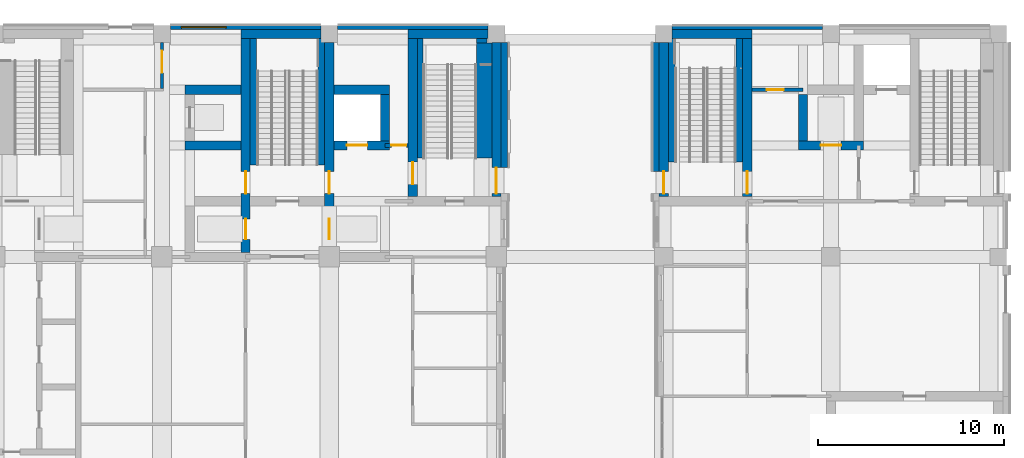
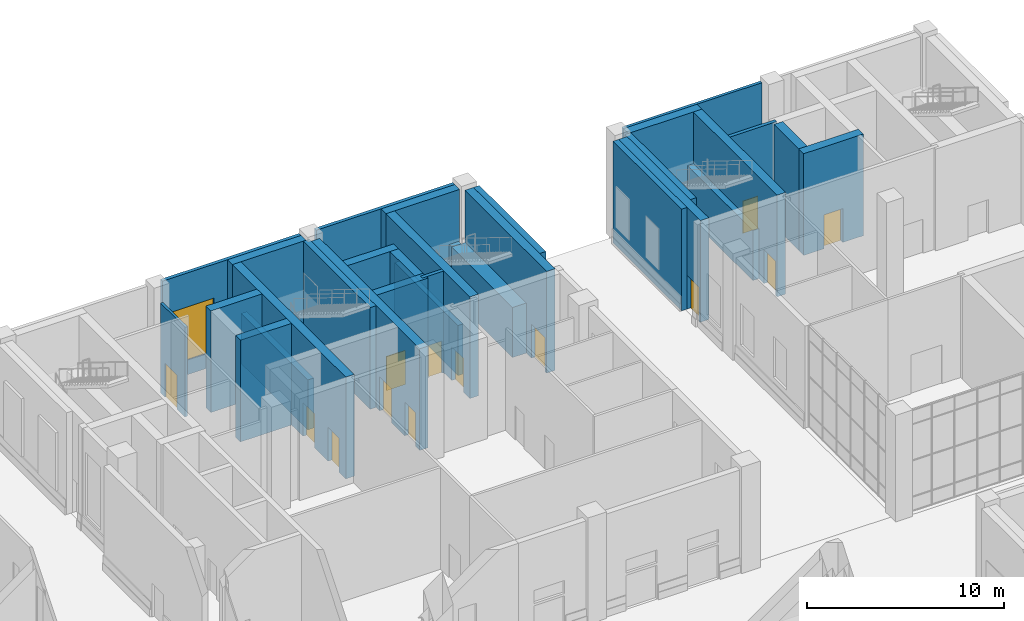
# One storey, part 18 of 35: 31 walls, 13 doors, 1 window, 14 openings.
"""IFC4 building model written with IfcOpenShell, lengths in metres."""

from ifc_helpers import new_model, si_unit, direction, frame, frame_2d, origin, place, context, subcontext, project, spatial, rectangle, extrude, material, layer, layer_set, type_object, element, fill, save


model = new_model("IFC4")

# Units and contexts
model_context = context("Model", 3, precision=1e-05, world=origin(), true_north=direction((0.0, 1.0)))
body_context = subcontext(model_context, "Body", "Model", "MODEL_VIEW")
ifc_project = project(units=[si_unit("LENGTHUNIT", "METRE"), si_unit("AREAUNIT", "SQUARE_METRE"), si_unit("VOLUMEUNIT", "CUBIC_METRE"), si_unit("PLANEANGLEUNIT", "RADIAN"), si_unit("MASSUNIT", "GRAM", prefix="KILO")], contexts=[model_context])

# Site, building, storey
site_placement = place(None, origin())
site = spatial("IfcSite", under=ifc_project, at=site_placement, CompositionType="ELEMENT")
building_placement = place(site_placement, origin())
building = spatial("IfcBuilding", under=site, at=building_placement, Name="Aurelan Courthouse", CompositionType="ELEMENT")
storey_placement = place(building_placement, origin())
storey = spatial("IfcBuildingStorey", under=building, at=storey_placement, Name="L00", CompositionType="ELEMENT", Elevation=0.0)

# Wall, opening, door
ifc_material_1 = material(Name="Gypsum board on metal studs")
ifc_layer_1 = layer(ifc_material_1, 0.14990234375)
ifc_layer_set_1 = layer_set([ifc_layer_1], Name="Gypsum board on metal studs")
wall_type_1 = type_object("IfcWallType", Name="Corridor partition 150 EI 60", PredefinedType="PARTITIONING", material=ifc_layer_set_1)
wall_1_placement = place(storey_placement, frame((45.0, 63.074951171875, 0.0), z_axis=(0.0, 0.0, 1.0), x_axis=(0.0, 1.0, 0.0)))
wall_1 = element("IfcWall", 1, at=wall_1_placement, inside=storey, type_object=wall_type_1, Name="Corridor partition L00-077", PredefinedType="PARTITIONING", context=body_context, shape_type="SweptSolid", body=[
    extrude(rectangle(XDim=2.47509765625, YDim=0.14990234375, at=frame_2d((1.237548828125, 0.0))), origin(), (0.0, 0.0, 1.0), 5.550048828125),
])
opening_1_placement = place(wall_1_placement, frame((0.824951171875, 0.0, 0.0)))
opening_1 = element("IfcOpeningElement", 2, at=opening_1_placement, cuts=wall_1, Name="Opening D-L00-052", PredefinedType="OPENING", context=body_context, shape_type="SweptSolid", body=[
    extrude(rectangle(XDim=1.199951171875, YDim=2.10009765625, at=frame_2d((0.60009765625, 1.050048828125))), frame((0.0, 0.0849609375, 0.0), z_axis=(0.0, -1.0, 0.0), x_axis=(1.0, 0.0, 0.0)), (0.0, 0.0, 1.0), 0.169921875),
])
ifc_material_2 = material(Name="Steel", Category="steel")
door_type_1 = type_object("IfcDoorType", Name="Single door 1200 x 2100 FD60", OperationType="SINGLE_SWING_LEFT", PredefinedType="DOOR", material=ifc_material_2)
door_1_placement = place(opening_1_placement, origin())
door_1 = element("IfcDoor", 3, at=door_1_placement, inside=storey, type_object=door_type_1, Name="Single door D-L00-052", OperationType="SINGLE_SWING_LEFT", OverallHeight=2.10009765625, OverallWidth=1.199951171875, PredefinedType="DOOR", context=body_context, shape_type="SweptSolid", body=[
    extrude(rectangle(XDim=1.199951171875, YDim=2.10009765625, at=frame_2d((0.60009765625, 1.050048828125))), frame((0.0, 0.02490234375, 0.0), z_axis=(0.0, -1.0, 0.0), x_axis=(1.0, 0.0, 0.0)), (0.0, 0.0, 1.0), 0.050048828125),
])
fill(opening_1, door_1)

# Wall, opening, window
ifc_material_3 = material(Name="Granite cladding", Category="masonry")
ifc_layer_2 = layer(ifc_material_3, 0.054931640625, Name="Facing")
ifc_material_4 = material(Name="Ventilated cavity")
ifc_layer_3 = layer(ifc_material_4, 0.02490234375, ventilated=True, Name="Ventilated cavity")
ifc_material_5 = material(Name="Mineral wool insulation")
ifc_layer_4 = layer(ifc_material_5, 0.030029296875, Name="Insulation")
ifc_material_6 = material(Name="Concrete C30", Category="concrete")
ifc_layer_5 = layer(ifc_material_6, 0.090087890625, Name="Structure")
ifc_layer_set_2 = layer_set([ifc_layer_2, ifc_layer_3, ifc_layer_4, ifc_layer_5], Name="Concrete C30")
wall_type_2 = type_object("IfcWallType", Name="Courtroom Block granite-faced wall 200", PredefinedType="SOLIDWALL", material=ifc_layer_set_2)
wall_2_placement = place(storey_placement, frame((45.449951171875, 66.35009765625, 0.0), z_axis=(0.0, 0.0, 1.0), x_axis=(1.0, 0.0, 0.0)))
wall_2 = element("IfcWall", 4, at=wall_2_placement, inside=storey, type_object=wall_type_2, Name="Facade wall FW-V2-L00-006", PredefinedType="SOLIDWALL", context=body_context, shape_type="SweptSolid", body=[
    extrude(rectangle(XDim=8.10009765625, YDim=0.199951171875, at=frame_2d((4.050048828125, 0.0))), origin(), (0.0, 0.0, 1.0), 6.300048828125),
])
opening_2_placement = place(wall_2_placement, frame((0.60009765625, 0.0, 0.89990234375)))
opening_2 = element("IfcOpeningElement", 5, at=opening_2_placement, cuts=wall_2, Name="Opening WN-V2-L00-007", PredefinedType="OPENING", context=body_context, shape_type="SweptSolid", body=[
    extrude(rectangle(XDim=2.39990234375, YDim=3.300048828125, at=frame_2d((1.199951171875, 1.64990234375))), frame((0.0, 0.10986328125, 0.0), z_axis=(0.0, -1.0, 0.0), x_axis=(1.0, 0.0, 0.0)), (0.0, 0.0, 1.0), 0.219970703125),
])
ifc_material_7 = material(Name="Bronze-finished aluminium and glass", Category="aluminium")
window_type = type_object("IfcWindowType", Name="Courtroom Block window 2400 x 3300, sill 900", PartitioningType="SINGLE_PANEL", PredefinedType="WINDOW", material=ifc_material_7)
window_placement = place(opening_2_placement, origin())
window = element("IfcWindow", 6, at=window_placement, inside=storey, type_object=window_type, Name="Window WN-V2-L00-007", OverallHeight=3.300048828125, OverallWidth=2.39990234375, PartitioningType="SINGLE_PANEL", PredefinedType="WINDOW", context=body_context, shape_type="SweptSolid", body=[
    extrude(rectangle(XDim=2.39990234375, YDim=3.300048828125, at=frame_2d((1.199951171875, 1.64990234375))), frame((0.0, 0.030029296875, 0.0), z_axis=(0.0, -1.0, 0.0), x_axis=(1.0, 0.0, 0.0)), (0.0, 0.0, 1.0), 0.06005859375),
])
fill(opening_2, window)

# Walls
wall_3_placement = place(storey_placement, frame((54.449951171875, 66.35009765625, 0.0), z_axis=(0.0, 0.0, 1.0), x_axis=(1.0, 0.0, 0.0)))
element("IfcWall", 7, at=wall_3_placement, inside=storey, type_object=wall_type_2, Name="Facade wall FW-V2-L00-007", PredefinedType="SOLIDWALL", context=body_context, shape_type="SweptSolid", body=[
    extrude(rectangle(XDim=8.10009765625, YDim=0.199951171875, at=frame_2d((4.050048828125, 0.0))), origin(), (0.0, 0.0, 1.0), 6.300048828125),
])
ifc_layer_6 = layer(ifc_material_3, 0.10009765625, Name="Facing")
ifc_layer_7 = layer(ifc_material_4, 0.02490234375, ventilated=True, Name="Ventilated cavity")
ifc_layer_8 = layer(ifc_material_5, 0.050048828125, Name="Insulation")
ifc_layer_9 = layer(ifc_material_6, 0.175048828125, Name="Structure")
ifc_layer_set_3 = layer_set([ifc_layer_6, ifc_layer_7, ifc_layer_8, ifc_layer_9], Name="Concrete C30")
wall_type_3 = type_object("IfcWallType", Name="Courtroom Block granite-faced wall 350", PredefinedType="SOLIDWALL", material=ifc_layer_set_3)
wall_4_placement = place(storey_placement, frame((63.425048828125, 58.800048828125, 0.0), z_axis=(0.0, 0.0, 1.0), x_axis=(0.0, 1.0, 0.0)))
element("IfcWall", 8, at=wall_4_placement, inside=storey, type_object=wall_type_3, Name="Facade wall FW-V2-L00-012", PredefinedType="SOLIDWALL", context=body_context, shape_type="SweptSolid", body=[
    extrude(rectangle(XDim=6.75, YDim=0.35009765625, at=frame_2d((3.375, 0.0))), origin(), (0.0, 0.0, 1.0), 6.300048828125),
])
ifc_layer_10 = layer(ifc_material_3, 0.050048828125, Name="Facing")
ifc_layer_11 = layer(ifc_material_4, 0.02490234375, ventilated=True, Name="Ventilated cavity")
ifc_layer_12 = layer(ifc_material_5, 0.02490234375, Name="Insulation")
ifc_layer_13 = layer(ifc_material_6, 0.070068359375, Name="Structure")
ifc_layer_set_4 = layer_set([ifc_layer_10, ifc_layer_11, ifc_layer_12, ifc_layer_13], Name="Concrete C30")
wall_type_4 = type_object("IfcWallType", Name="Law Library granite-faced wall 170", PredefinedType="SOLIDWALL", material=ifc_layer_set_4)
wall_5_placement = place(storey_placement, frame((72.449951171875, 66.3349609375, 0.0), z_axis=(0.0, 0.0, 1.0), x_axis=(1.0, 0.0, 0.0)))
element("IfcWall", 9, at=wall_5_placement, inside=storey, type_object=wall_type_4, Name="Facade wall FW-V3-L00-003", PredefinedType="SOLIDWALL", context=body_context, shape_type="SweptSolid", body=[
    extrude(rectangle(XDim=8.10009765625, YDim=0.169921875, at=frame_2d((4.050048828125, 0.0))), origin(), (0.0, 0.0, 1.0), 6.300048828125),
])
ifc_layer_14 = layer(ifc_material_3, 0.090087890625, Name="Facing")
ifc_layer_15 = layer(ifc_material_4, 0.02490234375, ventilated=True, Name="Ventilated cavity")
ifc_layer_16 = layer(ifc_material_5, 0.044921875, Name="Insulation")
ifc_layer_17 = layer(ifc_material_6, 0.159912109375, Name="Structure")
ifc_layer_set_5 = layer_set([ifc_layer_14, ifc_layer_15, ifc_layer_16, ifc_layer_17], Name="Concrete C30")
wall_type_5 = type_object("IfcWallType", Name="Law Library granite-faced wall 320", PredefinedType="SOLIDWALL", material=ifc_layer_set_5)
wall_6_placement = place(storey_placement, frame((71.590087890625, 58.60009765625, 0.0), z_axis=(0.0, 0.0, 1.0), x_axis=(0.0, 1.0, 0.0)))
element("IfcWall", 10, at=wall_6_placement, inside=storey, type_object=wall_type_5, Name="Facade wall FW-V3-L00-013", PredefinedType="SOLIDWALL", context=body_context, shape_type="SweptSolid", body=[
    extrude(rectangle(XDim=6.949951171875, YDim=0.320068359375, at=frame_2d((3.47509765625, 0.0))), origin(), (0.0, 0.0, 1.0), 6.300048828125),
])

# Wall, openings, doors
ifc_material_8 = material(Name="Concrete C50", Category="concrete")
ifc_layer_18 = layer(ifc_material_8, 0.5)
ifc_layer_set_6 = layer_set([ifc_layer_18], Name="Concrete C50")
wall_type_6 = type_object("IfcWallType", Name="RC shear wall 500", PredefinedType="SHEAR", material=ifc_layer_set_6)
wall_7_placement = place(storey_placement, frame((49.5, 54.25, 0.0), z_axis=(0.0, 0.0, 1.0), x_axis=(0.0, 1.0, 0.0)))
wall_7 = element("IfcWall", 11, at=wall_7_placement, inside=storey, type_object=wall_type_6, Name="Core wall SW-L00-056", PredefinedType="SHEAR", context=body_context, shape_type="SweptSolid", body=[
    extrude(rectangle(XDim=11.5, YDim=0.5, at=frame_2d((5.75, 0.0))), origin(), (0.0, 0.0, 1.0), 6.300048828125),
])
opening_3_placement = place(wall_7_placement, frame((0.699951171875, 0.0, 0.0)))
opening_3 = element("IfcOpeningElement", 12, at=opening_3_placement, cuts=wall_7, Name="Opening LD-V2-P1-L00", PredefinedType="OPENING", context=body_context, shape_type="SweptSolid", body=[
    extrude(rectangle(XDim=1.10009765625, YDim=2.10009765625, at=frame_2d((0.550048828125, 1.050048828125))), frame((0.0, 0.260009765625, 0.0), z_axis=(0.0, -1.0, 0.0), x_axis=(1.0, 0.0, 0.0)), (0.0, 0.0, 1.0), 0.52001953125),
])
opening_4_placement = place(wall_7_placement, frame((4.349853515625, 0.0, 0.0), z_axis=(0.0, 0.0, 1.0), x_axis=(-1.0, 0.0, 0.0)))
opening_4 = element("IfcOpeningElement", 13, at=opening_4_placement, cuts=wall_7, Name="Opening D-L00-030", PredefinedType="OPENING", context=body_context, shape_type="SweptSolid", body=[
    extrude(rectangle(XDim=1.199951171875, YDim=2.10009765625, at=frame_2d((0.60009765625, 1.050048828125))), frame((0.0, 0.260009765625, 0.0), z_axis=(0.0, -1.0, 0.0), x_axis=(1.0, 0.0, 0.0)), (0.0, 0.0, 1.0), 0.52001953125),
])
door_type_2 = type_object("IfcDoorType", Name="Lift landing door 1100 x 2100 FD90", OperationType="SLIDING_TO_LEFT", PredefinedType="DOOR", material=ifc_material_2)
door_2_placement = place(opening_3_placement, origin())
door_2 = element("IfcDoor", 14, at=door_2_placement, inside=storey, type_object=door_type_2, Name="Lift landing door LD-V2-P1-L00", OperationType="SLIDING_TO_LEFT", OverallHeight=2.10009765625, OverallWidth=1.10009765625, PredefinedType="DOOR", context=body_context, shape_type="SweptSolid", body=[
    extrude(rectangle(XDim=1.10009765625, YDim=2.10009765625, at=frame_2d((0.550048828125, 1.050048828125))), frame((0.0, 0.02490234375, 0.0), z_axis=(0.0, -1.0, 0.0), x_axis=(1.0, 0.0, 0.0)), (0.0, 0.0, 1.0), 0.050048828125),
])
fill(opening_3, door_2)
door_type_3 = type_object("IfcDoorType", Name="Single door 1200 x 2100 FD90", OperationType="SINGLE_SWING_LEFT", PredefinedType="DOOR", material=ifc_material_2)
door_3_placement = place(opening_4_placement, origin())
door_3 = element("IfcDoor", 15, at=door_3_placement, inside=storey, type_object=door_type_3, Name="Single door D-L00-030", OperationType="SINGLE_SWING_RIGHT", OverallHeight=2.10009765625, OverallWidth=1.199951171875, PredefinedType="DOOR", context=body_context, shape_type="SweptSolid", body=[
    extrude(rectangle(XDim=1.199951171875, YDim=2.10009765625, at=frame_2d((0.60009765625, 1.050048828125))), frame((0.0, 0.02490234375, 0.0), z_axis=(0.0, -1.0, 0.0), x_axis=(1.0, 0.0, 0.0)), (0.0, 0.0, 1.0), 0.050048828125),
])
fill(opening_4, door_3)

wall_8_placement = place(storey_placement, frame((54.0, 54.550048828125, 0.0), z_axis=(0.0, 0.0, 1.0), x_axis=(0.0, 1.0, 0.0)))
wall_8 = element("IfcWall", 16, at=wall_8_placement, inside=storey, type_object=wall_type_6, Name="Core wall SW-L00-058", PredefinedType="SHEAR", context=body_context, shape_type="SweptSolid", body=[
    extrude(rectangle(XDim=11.0, YDim=0.5, at=frame_2d((5.5, 0.0))), origin(), (0.0, 0.0, 1.0), 6.300048828125),
])
opening_5_placement = place(wall_8_placement, frame((0.39990234375, 0.0, 0.0)))
opening_5 = element("IfcOpeningElement", 17, at=opening_5_placement, cuts=wall_8, Name="Opening LD-V2-P2-L00", PredefinedType="OPENING", context=body_context, shape_type="SweptSolid", body=[
    extrude(rectangle(XDim=1.10009765625, YDim=2.10009765625, at=frame_2d((0.550048828125, 1.050048828125))), frame((0.0, 0.260009765625, 0.0), z_axis=(0.0, -1.0, 0.0), x_axis=(1.0, 0.0, 0.0)), (0.0, 0.0, 1.0), 0.52001953125),
])
opening_6_placement = place(wall_8_placement, frame((2.85009765625, 0.0, 0.0)))
opening_6 = element("IfcOpeningElement", 18, at=opening_6_placement, cuts=wall_8, Name="Opening D-L00-026", PredefinedType="OPENING", context=body_context, shape_type="SweptSolid", body=[
    extrude(rectangle(XDim=1.199951171875, YDim=2.10009765625, at=frame_2d((0.60009765625, 1.050048828125))), frame((0.0, 0.260009765625, 0.0), z_axis=(0.0, -1.0, 0.0), x_axis=(1.0, 0.0, 0.0)), (0.0, 0.0, 1.0), 0.52001953125),
])
door_4_placement = place(opening_5_placement, origin())
door_4 = element("IfcDoor", 19, at=door_4_placement, inside=storey, type_object=door_type_2, Name="Lift landing door LD-V2-P2-L00", OperationType="SLIDING_TO_LEFT", OverallHeight=2.10009765625, OverallWidth=1.10009765625, PredefinedType="DOOR", context=body_context, shape_type="SweptSolid", body=[
    extrude(rectangle(XDim=1.10009765625, YDim=2.10009765625, at=frame_2d((0.550048828125, 1.050048828125))), frame((0.0, 0.02490234375, 0.0), z_axis=(0.0, -1.0, 0.0), x_axis=(1.0, 0.0, 0.0)), (0.0, 0.0, 1.0), 0.050048828125),
])
fill(opening_5, door_4)
door_5_placement = place(opening_6_placement, origin())
door_5 = element("IfcDoor", 20, at=door_5_placement, inside=storey, type_object=door_type_3, Name="Single door D-L00-026", OperationType="SINGLE_SWING_LEFT", OverallHeight=2.10009765625, OverallWidth=1.199951171875, PredefinedType="DOOR", context=body_context, shape_type="SweptSolid", body=[
    extrude(rectangle(XDim=1.199951171875, YDim=2.10009765625, at=frame_2d((0.60009765625, 1.050048828125))), frame((0.0, 0.02490234375, 0.0), z_axis=(0.0, -1.0, 0.0), x_axis=(1.0, 0.0, 0.0)), (0.0, 0.0, 1.0), 0.050048828125),
])
fill(opening_6, door_5)

# Wall, opening, door
wall_9_placement = place(storey_placement, frame((58.5, 57.25, 0.0), z_axis=(0.0, 0.0, 1.0), x_axis=(0.0, 1.0, 0.0)))
wall_9 = element("IfcWall", 21, at=wall_9_placement, inside=storey, type_object=wall_type_6, Name="Core wall SW-L00-072", PredefinedType="SHEAR", context=body_context, shape_type="SweptSolid", body=[
    extrude(rectangle(XDim=8.5, YDim=0.5, at=frame_2d((4.25, 0.0))), origin(), (0.0, 0.0, 1.0), 6.300048828125),
])
opening_7_placement = place(wall_9_placement, frame((1.849853515625, 0.0, 0.0), z_axis=(0.0, 0.0, 1.0), x_axis=(-1.0, 0.0, 0.0)))
opening_7 = element("IfcOpeningElement", 22, at=opening_7_placement, cuts=wall_9, Name="Opening D-L00-027", PredefinedType="OPENING", context=body_context, shape_type="SweptSolid", body=[
    extrude(rectangle(XDim=1.199951171875, YDim=2.10009765625, at=frame_2d((0.60009765625, 1.050048828125))), frame((0.0, 0.260009765625, 0.0), z_axis=(0.0, -1.0, 0.0), x_axis=(1.0, 0.0, 0.0)), (0.0, 0.0, 1.0), 0.52001953125),
])
door_6_placement = place(opening_7_placement, origin())
door_6 = element("IfcDoor", 23, at=door_6_placement, inside=storey, type_object=door_type_3, Name="Single door D-L00-027", OperationType="SINGLE_SWING_RIGHT", OverallHeight=2.10009765625, OverallWidth=1.199951171875, PredefinedType="DOOR", context=body_context, shape_type="SweptSolid", body=[
    extrude(rectangle(XDim=1.199951171875, YDim=2.10009765625, at=frame_2d((0.60009765625, 1.050048828125))), frame((0.0, 0.02490234375, 0.0), z_axis=(0.0, -1.0, 0.0), x_axis=(1.0, 0.0, 0.0)), (0.0, 0.0, 1.0), 0.050048828125),
])
fill(opening_7, door_6)

wall_10_placement = place(storey_placement, frame((63.0, 57.25, 0.0), z_axis=(0.0, 0.0, 1.0), x_axis=(0.0, 1.0, 0.0)))
wall_10 = element("IfcWall", 24, at=wall_10_placement, inside=storey, type_object=wall_type_6, Name="Core wall SW-L00-073", PredefinedType="SHEAR", context=body_context, shape_type="SweptSolid", body=[
    extrude(rectangle(XDim=8.300048828125, YDim=0.5, at=frame_2d((4.14990234375, 0.0))), origin(), (0.0, 0.0, 1.0), 6.300048828125),
])
opening_8_placement = place(wall_10_placement, frame((1.5498046875, 0.0, 0.0), z_axis=(0.0, 0.0, 1.0), x_axis=(-1.0, 0.0, 0.0)))
opening_8 = element("IfcOpeningElement", 25, at=opening_8_placement, cuts=wall_10, Name="Opening D-L00-049", PredefinedType="OPENING", context=body_context, shape_type="SweptSolid", body=[
    extrude(rectangle(XDim=1.39990234375, YDim=2.10009765625, at=frame_2d((0.699951171875, 1.050048828125))), frame((0.0, 0.260009765625, 0.0), z_axis=(0.0, -1.0, 0.0), x_axis=(1.0, 0.0, 0.0)), (0.0, 0.0, 1.0), 0.52001953125),
])
ifc_material_9 = material(Name="Bronze-clad timber", Category="wood")
door_type_4 = type_object("IfcDoorType", Name="Bronze single door 1400 x 2100", OperationType="SINGLE_SWING_LEFT", PredefinedType="DOOR", material=ifc_material_9)
door_7_placement = place(opening_8_placement, origin())
door_7 = element("IfcDoor", 26, at=door_7_placement, inside=storey, type_object=door_type_4, Name="Exit door D-L00-049", OperationType="SINGLE_SWING_LEFT", OverallHeight=2.10009765625, OverallWidth=1.39990234375, PredefinedType="DOOR", context=body_context, shape_type="SweptSolid", body=[
    extrude(rectangle(XDim=1.39990234375, YDim=2.10009765625, at=frame_2d((0.699951171875, 1.050048828125))), frame((0.0, 0.02490234375, 0.0), z_axis=(0.0, -1.0, 0.0), x_axis=(1.0, 0.0, 0.0)), (0.0, 0.0, 1.0), 0.050048828125),
])
fill(opening_8, door_7)

wall_11_placement = place(storey_placement, frame((72.0, 57.25, 0.0), z_axis=(0.0, 0.0, 1.0), x_axis=(0.0, 1.0, 0.0)))
wall_11 = element("IfcWall", 27, at=wall_11_placement, inside=storey, type_object=wall_type_6, Name="Core wall SW-L00-074", PredefinedType="SHEAR", context=body_context, shape_type="SweptSolid", body=[
    extrude(rectangle(XDim=8.300048828125, YDim=0.5, at=frame_2d((4.14990234375, 0.0))), origin(), (0.0, 0.0, 1.0), 6.300048828125),
])
opening_9_placement = place(wall_11_placement, frame((0.14990234375, 0.0, 0.0)))
opening_9 = element("IfcOpeningElement", 28, at=opening_9_placement, cuts=wall_11, Name="Opening D-L00-072", PredefinedType="OPENING", context=body_context, shape_type="SweptSolid", body=[
    extrude(rectangle(XDim=1.199951171875, YDim=2.10009765625, at=frame_2d((0.60009765625, 1.050048828125))), frame((0.0, 0.260009765625, 0.0), z_axis=(0.0, -1.0, 0.0), x_axis=(1.0, 0.0, 0.0)), (0.0, 0.0, 1.0), 0.52001953125),
])
door_type_5 = type_object("IfcDoorType", Name="Bronze single door 1200 x 2100", OperationType="SINGLE_SWING_LEFT", PredefinedType="DOOR", material=ifc_material_9)
door_8_placement = place(opening_9_placement, origin())
door_8 = element("IfcDoor", 29, at=door_8_placement, inside=storey, type_object=door_type_5, Name="Exit door D-L00-072", OperationType="SINGLE_SWING_RIGHT", OverallHeight=2.10009765625, OverallWidth=1.199951171875, PredefinedType="DOOR", context=body_context, shape_type="SweptSolid", body=[
    extrude(rectangle(XDim=1.199951171875, YDim=2.10009765625, at=frame_2d((0.60009765625, 1.050048828125))), frame((0.0, 0.02490234375, 0.0), z_axis=(0.0, -1.0, 0.0), x_axis=(1.0, 0.0, 0.0)), (0.0, 0.0, 1.0), 0.050048828125),
])
fill(opening_9, door_8)

wall_12_placement = place(storey_placement, frame((76.5, 57.25, 0.0), z_axis=(0.0, 0.0, 1.0), x_axis=(0.0, 1.0, 0.0)))
wall_12 = element("IfcWall", 30, at=wall_12_placement, inside=storey, type_object=wall_type_6, Name="Core wall SW-L00-075", PredefinedType="SHEAR", context=body_context, shape_type="SweptSolid", body=[
    extrude(rectangle(XDim=8.5, YDim=0.5, at=frame_2d((4.25, 0.0))), origin(), (0.0, 0.0, 1.0), 6.300048828125),
])
opening_10_placement = place(wall_12_placement, frame((0.14990234375, 0.0, 0.0)))
opening_10 = element("IfcOpeningElement", 31, at=opening_10_placement, cuts=wall_12, Name="Opening D-L00-055", PredefinedType="OPENING", context=body_context, shape_type="SweptSolid", body=[
    extrude(rectangle(XDim=1.199951171875, YDim=2.10009765625, at=frame_2d((0.60009765625, 1.050048828125))), frame((0.0, 0.260009765625, 0.0), z_axis=(0.0, -1.0, 0.0), x_axis=(1.0, 0.0, 0.0)), (0.0, 0.0, 1.0), 0.52001953125),
])
door_9_placement = place(opening_10_placement, origin())
door_9 = element("IfcDoor", 32, at=door_9_placement, inside=storey, type_object=door_type_3, Name="Single door D-L00-055", OperationType="SINGLE_SWING_LEFT", OverallHeight=2.10009765625, OverallWidth=1.199951171875, PredefinedType="DOOR", context=body_context, shape_type="SweptSolid", body=[
    extrude(rectangle(XDim=1.199951171875, YDim=2.10009765625, at=frame_2d((0.60009765625, 1.050048828125))), frame((0.0, 0.02490234375, 0.0), z_axis=(0.0, -1.0, 0.0), x_axis=(1.0, 0.0, 0.0)), (0.0, 0.0, 1.0), 0.050048828125),
])
fill(opening_10, door_9)

# Wall
wall_13_placement = place(storey_placement, frame((46.25, 60.0, 0.0), z_axis=(0.0, 0.0, 1.0), x_axis=(1.0, 0.0, 0.0)))
element("IfcWall", 33, at=wall_13_placement, inside=storey, type_object=wall_type_6, Name="Core wall SW-L00-080", PredefinedType="SHEAR", context=body_context, shape_type="SweptSolid", body=[
    extrude(rectangle(XDim=3.0, YDim=0.5, at=frame_2d((1.5, 0.0))), origin(), (0.0, 0.0, 1.0), 6.300048828125),
])

# Wall, opening, door
wall_14_placement = place(storey_placement, frame((54.25, 60.0, 0.0), z_axis=(0.0, 0.0, 1.0), x_axis=(1.0, 0.0, 0.0)))
wall_14 = element("IfcWall", 34, at=wall_14_placement, inside=storey, type_object=wall_type_6, Name="Core wall SW-L00-081", PredefinedType="SHEAR", context=body_context, shape_type="SweptSolid", body=[
    extrude(rectangle(XDim=3.0, YDim=0.5, at=frame_2d((1.5, 0.0))), origin(), (0.0, 0.0, 1.0), 6.300048828125),
])
opening_11_placement = place(wall_14_placement, frame((0.699951171875, 0.0, 0.0)))
opening_11 = element("IfcOpeningElement", 35, at=opening_11_placement, cuts=wall_14, Name="Opening LD-V2-F1-L00", PredefinedType="OPENING", context=body_context, shape_type="SweptSolid", body=[
    extrude(rectangle(XDim=1.10009765625, YDim=2.10009765625, at=frame_2d((0.550048828125, 1.050048828125))), frame((0.0, 0.260009765625, 0.0), z_axis=(0.0, -1.0, 0.0), x_axis=(1.0, 0.0, 0.0)), (0.0, 0.0, 1.0), 0.52001953125),
])
door_10_placement = place(opening_11_placement, origin())
door_10 = element("IfcDoor", 36, at=door_10_placement, inside=storey, type_object=door_type_2, Name="Lift landing door LD-V2-F1-L00", OperationType="SLIDING_TO_LEFT", OverallHeight=2.10009765625, OverallWidth=1.10009765625, PredefinedType="DOOR", context=body_context, shape_type="SweptSolid", body=[
    extrude(rectangle(XDim=1.10009765625, YDim=2.10009765625, at=frame_2d((0.550048828125, 1.050048828125))), frame((0.0, 0.02490234375, 0.0), z_axis=(0.0, -1.0, 0.0), x_axis=(1.0, 0.0, 0.0)), (0.0, 0.0, 1.0), 0.050048828125),
])
fill(opening_11, door_10)

wall_15_placement = place(storey_placement, frame((79.25, 60.0, 0.0), z_axis=(0.0, 0.0, 1.0), x_axis=(1.0, 0.0, 0.0)))
wall_15 = element("IfcWall", 37, at=wall_15_placement, inside=storey, type_object=wall_type_6, Name="Core wall SW-L00-082", PredefinedType="SHEAR", context=body_context, shape_type="SweptSolid", body=[
    extrude(rectangle(XDim=3.5, YDim=0.5, at=frame_2d((1.75, 0.0))), origin(), (0.0, 0.0, 1.0), 6.300048828125),
])
opening_12_placement = place(wall_15_placement, frame((1.199951171875, 0.0, 0.0)))
opening_12 = element("IfcOpeningElement", 38, at=opening_12_placement, cuts=wall_15, Name="Opening LD-V3-P1-L00", PredefinedType="OPENING", context=body_context, shape_type="SweptSolid", body=[
    extrude(rectangle(XDim=1.10009765625, YDim=2.10009765625, at=frame_2d((0.550048828125, 1.050048828125))), frame((0.0, 0.260009765625, 0.0), z_axis=(0.0, -1.0, 0.0), x_axis=(1.0, 0.0, 0.0)), (0.0, 0.0, 1.0), 0.52001953125),
])
door_11_placement = place(opening_12_placement, origin())
door_11 = element("IfcDoor", 39, at=door_11_placement, inside=storey, type_object=door_type_2, Name="Lift landing door LD-V3-P1-L00", OperationType="SLIDING_TO_LEFT", OverallHeight=2.10009765625, OverallWidth=1.10009765625, PredefinedType="DOOR", context=body_context, shape_type="SweptSolid", body=[
    extrude(rectangle(XDim=1.10009765625, YDim=2.10009765625, at=frame_2d((0.550048828125, 1.050048828125))), frame((0.0, 0.02490234375, 0.0), z_axis=(0.0, -1.0, 0.0), x_axis=(1.0, 0.0, 0.0)), (0.0, 0.0, 1.0), 0.050048828125),
])
fill(opening_12, door_11)

# Walls
for number, where, z_axis, x_axis, name in (
    (40, (57.0, 60.25, 0.0), (0.0, 0.0, 1.0), (0.0, 1.0, 0.0), "Core wall SW-L00-086"),
    (41, (79.5, 60.25, 0.0), (0.0, 0.0, 1.0), (0.0, 1.0, 0.0), "Core wall SW-L00-087"),
):
    element("IfcWall", number, at=place(storey_placement, frame(where, z_axis=z_axis, x_axis=x_axis)), inside=storey, type_object=wall_type_6, Name=name, PredefinedType="SHEAR", context=body_context, shape_type="SweptSolid", body=[
        extrude(rectangle(XDim=2.5, YDim=0.5, at=frame_2d((1.25, 0.0))), origin(), (0.0, 0.0, 1.0), 6.300048828125),
    ])
for number, where, z_axis, x_axis, name in (
    (42, (46.25, 63.0, 0.0), (0.0, 0.0, 1.0), (1.0, 0.0, 0.0), "Core wall SW-L00-090"),
    (43, (54.25, 63.0, 0.0), (0.0, 0.0, 1.0), (1.0, 0.0, 0.0), "Core wall SW-L00-091"),
):
    element("IfcWall", number, at=place(storey_placement, frame(where, z_axis=z_axis, x_axis=x_axis)), inside=storey, type_object=wall_type_6, Name=name, PredefinedType="SHEAR", context=body_context, shape_type="SweptSolid", body=[
        extrude(rectangle(XDim=3.0, YDim=0.5, at=frame_2d((1.5, 0.0))), origin(), (0.0, 0.0, 1.0), 6.300048828125),
    ])
for number, where, z_axis, x_axis, name in (
    (44, (49.25, 66.0, 0.0), (0.0, 0.0, 1.0), (1.0, 0.0, 0.0), "Core wall SW-L00-097"),
    (45, (58.25, 66.0, 0.0), (0.0, 0.0, 1.0), (1.0, 0.0, 0.0), "Core wall SW-L00-098"),
    (46, (72.449951171875, 66.0, 0.0), (0.0, 0.0, 1.0), (1.0, 0.0, 0.0), "Core wall SW-L00-099"),
):
    element("IfcWall", number, at=place(storey_placement, frame(where, z_axis=z_axis, x_axis=x_axis)), inside=storey, type_object=wall_type_6, Name=name, PredefinedType="SHEAR", context=body_context, shape_type="SweptSolid", body=[
        extrude(rectangle(XDim=4.300048828125, YDim=0.5, at=frame_2d((2.14990234375, 0.0))), origin(), (0.0, 0.0, 1.0), 6.300048828125),
    ])

# Wall, opening, door
ifc_layer_19 = layer(ifc_material_6, 0.199951171875)
ifc_layer_set_7 = layer_set([ifc_layer_19], Name="Concrete C30")
wall_type_7 = type_object("IfcWallType", Name="Shaft wall 200 EI 120 load-bearing", PredefinedType="SHEAR", material=ifc_layer_set_7)
wall_16_placement = place(storey_placement, frame((57.0, 60.0, 0.0), z_axis=(0.0, 0.0, 1.0), x_axis=(1.0, 0.0, 0.0)))
wall_16 = element("IfcWall", 47, at=wall_16_placement, inside=storey, type_object=wall_type_7, Name="Shaft wall L00-053", PredefinedType="SHEAR", context=body_context, shape_type="SweptSolid", body=[
    extrude(rectangle(XDim=1.25, YDim=0.199951171875, at=frame_2d((0.625, 0.0))), origin(), (0.0, 0.0, 1.0), 6.300048828125),
])
opening_13_placement = place(wall_16_placement, frame((1.150146484375, 0.0, 0.0), z_axis=(0.0, 0.0, 1.0), x_axis=(-1.0, 0.0, 0.0)))
opening_13 = element("IfcOpeningElement", 48, at=opening_13_placement, cuts=wall_16, Name="Opening D-L00-028", PredefinedType="OPENING", context=body_context, shape_type="SweptSolid", body=[
    extrude(rectangle(XDim=0.800048828125, YDim=2.0, at=frame_2d((0.39990234375, 1.0))), frame((0.0, 0.10986328125, 0.0), z_axis=(0.0, -1.0, 0.0), x_axis=(1.0, 0.0, 0.0)), (0.0, 0.0, 1.0), 0.219970703125),
])
door_type_6 = type_object("IfcDoorType", Name="Single door 800 x 2000 FD90", OperationType="SINGLE_SWING_LEFT", PredefinedType="DOOR", material=ifc_material_2)
door_12_placement = place(opening_13_placement, origin())
door_12 = element("IfcDoor", 49, at=door_12_placement, inside=storey, type_object=door_type_6, Name="Single door D-L00-028", OperationType="SINGLE_SWING_LEFT", OverallHeight=2.0, OverallWidth=0.800048828125, PredefinedType="DOOR", context=body_context, shape_type="SweptSolid", body=[
    extrude(rectangle(XDim=0.800048828125, YDim=2.0, at=frame_2d((0.39990234375, 1.0))), frame((0.0, 0.02490234375, 0.0), z_axis=(0.0, -1.0, 0.0), x_axis=(1.0, 0.0, 0.0)), (0.0, 0.0, 1.0), 0.050048828125),
])
fill(opening_13, door_12)

wall_17_placement = place(storey_placement, frame((76.75, 63.0, 0.0), z_axis=(0.0, 0.0, 1.0), x_axis=(1.0, 0.0, 0.0)))
wall_17 = element("IfcWall", 50, at=wall_17_placement, inside=storey, type_object=wall_type_7, Name="Shaft wall L00-056", PredefinedType="SHEAR", context=body_context, shape_type="SweptSolid", body=[
    extrude(rectangle(XDim=2.75, YDim=0.199951171875, at=frame_2d((1.375, 0.0))), origin(), (0.0, 0.0, 1.0), 6.300048828125),
])
opening_14_placement = place(wall_17_placement, frame((0.800048828125, 0.0, 0.0)))
opening_14 = element("IfcOpeningElement", 51, at=opening_14_placement, cuts=wall_17, Name="Opening D-L00-058", PredefinedType="OPENING", context=body_context, shape_type="SweptSolid", body=[
    extrude(rectangle(XDim=0.89990234375, YDim=2.0, at=frame_2d((0.449951171875, 1.0))), frame((0.0, 0.10986328125, 0.0), z_axis=(0.0, -1.0, 0.0), x_axis=(1.0, 0.0, 0.0)), (0.0, 0.0, 1.0), 0.219970703125),
])
door_type_7 = type_object("IfcDoorType", Name="Single door 900 x 2000 FD90", OperationType="SINGLE_SWING_LEFT", PredefinedType="DOOR", material=ifc_material_2)
door_13_placement = place(opening_14_placement, origin())
door_13 = element("IfcDoor", 52, at=door_13_placement, inside=storey, type_object=door_type_7, Name="Single door D-L00-058", OperationType="SINGLE_SWING_LEFT", OverallHeight=2.0, OverallWidth=0.89990234375, PredefinedType="DOOR", context=body_context, shape_type="SweptSolid", body=[
    extrude(rectangle(XDim=0.89990234375, YDim=2.0, at=frame_2d((0.449951171875, 1.0))), frame((0.0, 0.02490234375, 0.0), z_axis=(0.0, -1.0, 0.0), x_axis=(1.0, 0.0, 0.0)), (0.0, 0.0, 1.0), 0.050048828125),
])
fill(opening_14, door_13)

# Walls
ifc_layer_20 = layer(ifc_material_6, 0.2900390625)
ifc_layer_set_8 = layer_set([ifc_layer_20], Name="Concrete C30")
wall_type_8 = type_object("IfcWallType", Name="Stair well wall 290 EI 120 load-bearing", PredefinedType="SHEAR", material=ifc_layer_set_8)
wall_18_placement = place(storey_placement, frame((58.89501953125, 59.31005859375, 0.0), z_axis=(0.0, 0.0, 1.0), x_axis=(0.0, 1.0, 0.0)))
element("IfcWall", 53, at=wall_18_placement, inside=storey, type_object=wall_type_8, Name="Stair well wall ST-2E-L00 A", PredefinedType="SHEAR", context=body_context, shape_type="SweptSolid", body=[
    extrude(rectangle(XDim=6.43994140625, YDim=0.2900390625, at=frame_2d((3.219970703125, 0.0))), origin(), (0.0, 0.0, 1.0), 3.10009765625),
])
ifc_layer_21 = layer(ifc_material_6, 0.35009765625)
ifc_layer_set_9 = layer_set([ifc_layer_21], Name="Concrete C30")
wall_type_9 = type_object("IfcWallType", Name="Stair well wall 350 EI 120 load-bearing", PredefinedType="SHEAR", material=ifc_layer_set_9)
wall_19_placement = place(storey_placement, frame((49.925048828125, 58.9599609375, 0.0), z_axis=(0.0, 0.0, 1.0), x_axis=(0.0, 1.0, 0.0)))
element("IfcWall", 54, at=wall_19_placement, inside=storey, type_object=wall_type_9, Name="Stair well wall ST-2A-L00 A", PredefinedType="SHEAR", context=body_context, shape_type="SweptSolid", body=[
    extrude(rectangle(XDim=6.7900390625, YDim=0.35009765625, at=frame_2d((3.39501953125, 0.0))), origin(), (0.0, 0.0, 1.0), 3.10009765625),
])
wall_20_placement = place(storey_placement, frame((53.574951171875, 58.9599609375, 0.0), z_axis=(0.0, 0.0, 1.0), x_axis=(0.0, 1.0, 0.0)))
element("IfcWall", 55, at=wall_20_placement, inside=storey, type_object=wall_type_9, Name="Stair well wall ST-2A-L00 B", PredefinedType="SHEAR", context=body_context, shape_type="SweptSolid", body=[
    extrude(rectangle(XDim=6.7900390625, YDim=0.35009765625, at=frame_2d((3.39501953125, 0.0))), origin(), (0.0, 0.0, 1.0), 6.300048828125),
])
wall_21_placement = place(storey_placement, frame((72.425048828125, 59.110107421875, 0.0), z_axis=(0.0, 0.0, 1.0), x_axis=(0.0, 1.0, 0.0)))
element("IfcWall", 56, at=wall_21_placement, inside=storey, type_object=wall_type_9, Name="Stair well wall ST-3A-L00 A", PredefinedType="SHEAR", context=body_context, shape_type="SweptSolid", body=[
    extrude(rectangle(XDim=6.639892578125, YDim=0.35009765625, at=frame_2d((3.31982421875, 0.0))), origin(), (0.0, 0.0, 1.0), 6.300048828125),
])
wall_22_placement = place(storey_placement, frame((76.074951171875, 59.110107421875, 0.0), z_axis=(0.0, 0.0, 1.0), x_axis=(0.0, 1.0, 0.0)))
element("IfcWall", 57, at=wall_22_placement, inside=storey, type_object=wall_type_9, Name="Stair well wall ST-3A-L00 B", PredefinedType="SHEAR", context=body_context, shape_type="SweptSolid", body=[
    extrude(rectangle(XDim=6.639892578125, YDim=0.35009765625, at=frame_2d((3.31982421875, 0.0))), origin(), (0.0, 0.0, 1.0), 3.10009765625),
])
ifc_layer_22 = layer(ifc_material_6, 0.56005859375)
ifc_layer_set_10 = layer_set([ifc_layer_22], Name="Concrete C30")
wall_type_10 = type_object("IfcWallType", Name="Stair well wall 560 EI 120 load-bearing", PredefinedType="SHEAR", material=ifc_layer_set_10)
wall_23_placement = place(storey_placement, frame((62.219970703125, 65.5, 0.0), z_axis=(0.0, 0.0, 1.0), x_axis=(0.0, 1.0, 0.0)))
element("IfcWall", 58, at=wall_23_placement, inside=storey, type_object=wall_type_10, Name="Stair well wall ST-2E-L00 B2", PredefinedType="SHEAR", context=body_context, shape_type="SweptSolid", body=[
    extrude(rectangle(XDim=0.25, YDim=0.56005859375, at=frame_2d((0.125, 0.0))), origin(), (0.0, 0.0, 1.0), 3.10009765625),
])
ifc_layer_23 = layer(ifc_material_6, 0.81005859375)
ifc_layer_set_11 = layer_set([ifc_layer_23], Name="Concrete C30")
wall_type_11 = type_object("IfcWallType", Name="Stair well wall 810 EI 120 load-bearing", PredefinedType="SHEAR", material=ifc_layer_set_11)
wall_24_placement = place(storey_placement, frame((62.344970703125, 59.31005859375, 0.0), z_axis=(0.0, 0.0, 1.0), x_axis=(0.0, 1.0, 0.0)))
element("IfcWall", 59, at=wall_24_placement, inside=storey, type_object=wall_type_11, Name="Stair well wall ST-2E-L00 B", PredefinedType="SHEAR", context=body_context, shape_type="SweptSolid", body=[
    extrude(rectangle(XDim=6.18994140625, YDim=0.81005859375, at=frame_2d((3.094970703125, 0.0))), origin(), (0.0, 0.0, 1.0), 3.10009765625),
])

save(model, "model.ifc")
